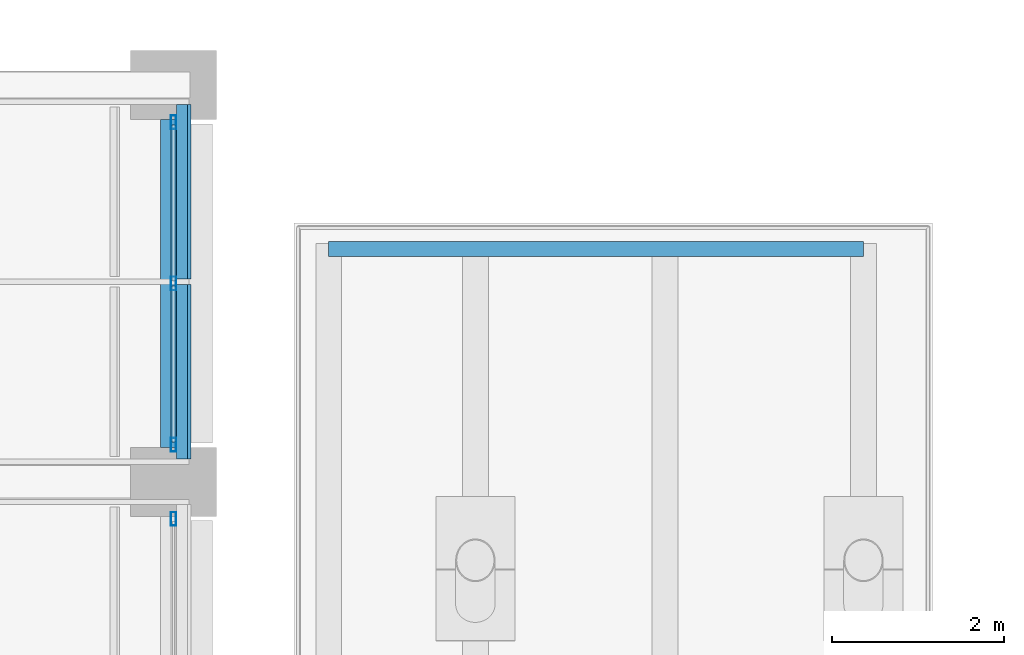
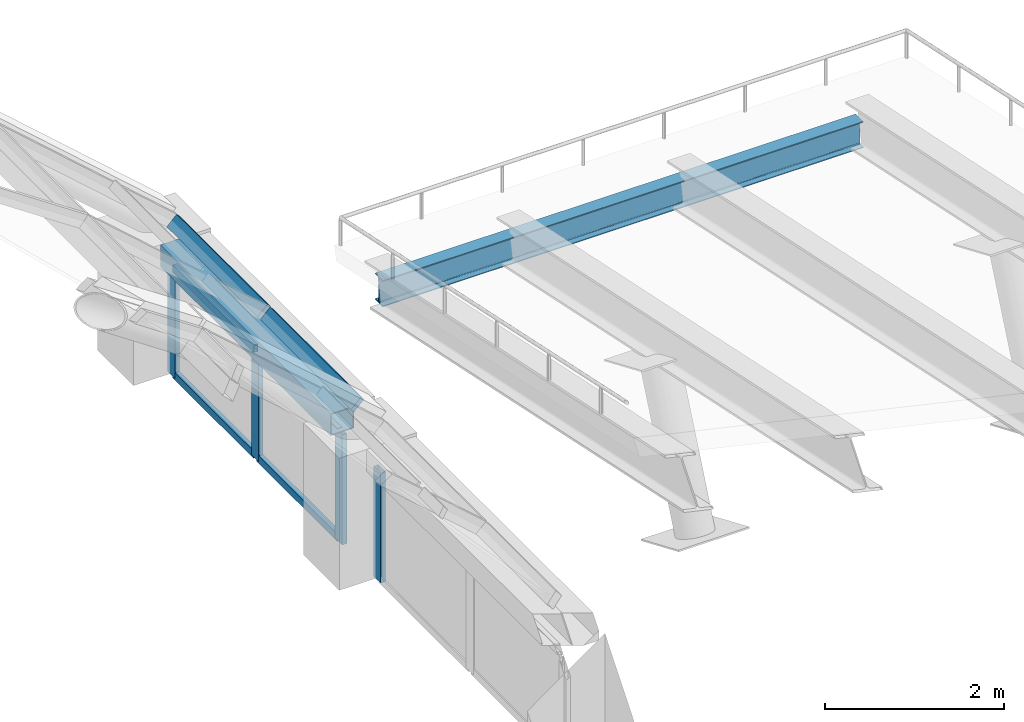
# One storey, part 88 of 182: 10 members, 2 beams, 3 elements without a shape of their own.
"""IFC4 building model written with IfcOpenShell, lengths in metres."""

import ifcopenshell
import ifcopenshell.guid

model = None  # the IFC model being written
_history = None  # IfcOwnerHistory: only IFC2X3 demands one
_inside = {}  # id of a spatial element -> (the spatial element, [elements in it])
_under = {}  # id of a project, library or spatial element -> (it, [spatial elements below it])
_declared = {}  # id of a project -> (the project, [libraries it declares])
_typed = {}  # id of a type object -> (the type object, [elements of that type])
_made_of = {}  # id of a material, layer set ... -> (it, [elements and type objects made of it])


def new_model(schema):
    """Start an empty IFC model of exactly this schema.

    Asked for "IFC4X3", IfcOpenShell would pick the latest addendum, in which some entities
    have other attributes; the version numbers below select the first issue.
    IFC2X3 requires an IfcOwnerHistory on every rooted entity: one is made here for all.
    """
    global model, _history
    if schema == "IFC4X3":
        model = ifcopenshell.file(schema_version=(4, 3, 0, 0))
    else:
        model = ifcopenshell.file(schema=schema)
    _inside.clear()
    _under.clear()
    _declared.clear()
    _typed.clear()
    _made_of.clear()
    _history = None
    if model.schema == "IFC2X3":
        org = make("IfcOrganization", Name="unknown")
        user = make(
            "IfcPersonAndOrganization",
            ThePerson=make("IfcPerson", FamilyName="unknown"),
            TheOrganization=org,
        )
        app = make(
            "IfcApplication",
            ApplicationDeveloper=org,
            Version="unknown",
            ApplicationFullName="unknown",
            ApplicationIdentifier="unknown",
        )
        _history = make(
            "IfcOwnerHistory",
            OwningUser=user,
            OwningApplication=app,
            ChangeAction="ADDED",
            CreationDate=0,
        )
    return model


def make(cls, **values):
    """One entity of the class cls with the attributes given. An attribute that is None is left unset."""
    return model.create_entity(
        cls, **{name: value for name, value in values.items() if value is not None}
    )


def rooted(cls, **values):
    """An entity with a GlobalId (a new one), such as an element, a storey or a relation."""
    return make(cls, GlobalId=ifcopenshell.guid.new(), OwnerHistory=_history, **values)


def si_unit(unit_type, name, prefix=None):
    """IfcSIUnit, for example si_unit("LENGTHUNIT", "METRE", prefix="MILLI")."""
    return make("IfcSIUnit", UnitType=unit_type, Prefix=prefix, Name=name)


def assignment(units):
    """IfcUnitAssignment: the units of a project."""
    return None if units is None else make("IfcUnitAssignment", Units=units)


def point(xyz):
    """IfcCartesianPoint."""
    return None if xyz is None else make("IfcCartesianPoint", Coordinates=xyz)


def direction(xyz):
    """IfcDirection."""
    return None if xyz is None else make("IfcDirection", DirectionRatios=xyz)


def frame(location, z_axis=None, x_axis=None):
    """IfcAxis2Placement3D, a coordinate frame: its origin and axes. An axis left out is left unset."""
    return make(
        "IfcAxis2Placement3D",
        Location=point(location),
        Axis=direction(z_axis),
        RefDirection=direction(x_axis),
    )


def frame_2d(location, x_axis=None):
    """IfcAxis2Placement2D, a coordinate frame in the plane: its origin and x axis."""
    return make(
        "IfcAxis2Placement2D", Location=point(location), RefDirection=direction(x_axis)
    )


def origin():
    """The frame at (0, 0, 0) with its axes left unset."""
    return frame((0.0, 0.0, 0.0))


def origin_2d():
    """The frame at (0, 0) in the plane with its x axis left unset."""
    return frame_2d((0.0, 0.0))


def place(relative_to, where):
    """IfcLocalPlacement: puts the frame where relative to a parent placement (None: the world)."""
    return make(
        "IfcLocalPlacement", PlacementRelTo=relative_to, RelativePlacement=where
    )


def context(
    kind, dimensions, precision=None, world=None, true_north=None, identifier=None
):
    """IfcGeometricRepresentationContext, for example the 3D "Model" context."""
    return make(
        "IfcGeometricRepresentationContext",
        ContextIdentifier=identifier,
        ContextType=kind,
        CoordinateSpaceDimension=dimensions,
        Precision=precision,
        WorldCoordinateSystem=world,
        TrueNorth=true_north,
    )


def subcontext(parent, identifier, kind, view, scale=None):
    """IfcGeometricRepresentationSubContext, for example "Body" below "Model"."""
    return make(
        "IfcGeometricRepresentationSubContext",
        ContextIdentifier=identifier,
        ContextType=kind,
        ParentContext=parent,
        TargetScale=scale,
        TargetView=view,
    )


def project(units=None, contexts=None):
    """IfcProject with its units and contexts."""
    return rooted(
        "IfcProject",
        Name="project",
        RepresentationContexts=contexts,
        UnitsInContext=assignment(units),
    )


def spatial(cls, under=None, at=None, **own):
    """A site, building, storey or space (cls), placed at a placement, below another one or the project."""
    s = rooted(cls, ObjectPlacement=at, **own)
    if under is not None:
        _under.setdefault(under.id(), (under, []))[1].append(s)
    return s


def profile(cls, at=None, kind="AREA", **sizes):
    """A parametric profile (cls). Its sizes go by their IFC names, for example OverallWidth=200.0."""
    return make(cls, ProfileType=kind, Position=at, **sizes)


def rectangle(**sizes):
    """IfcRectangleProfileDef."""
    return profile("IfcRectangleProfileDef", **sizes)


def hollow_rectangle(**sizes):
    """IfcRectangleHollowProfileDef."""
    return profile("IfcRectangleHollowProfileDef", **sizes)


def i_section(**sizes):
    """IfcIShapeProfileDef."""
    return profile("IfcIShapeProfileDef", **sizes)


def extrude(swept, where, along, depth):
    """IfcExtrudedAreaSolid: the profile swept, set in the frame where, extruded along a direction by depth."""
    return make(
        "IfcExtrudedAreaSolid",
        SweptArea=swept,
        Position=where,
        ExtrudedDirection=direction(along),
        Depth=depth,
    )


def shape(context_of_items, identifier, shape_type, items):
    """IfcShapeRepresentation: the items that make up one representation, for example the "Body"."""
    return make(
        "IfcShapeRepresentation",
        ContextOfItems=context_of_items,
        RepresentationIdentifier=identifier,
        RepresentationType=shape_type,
        Items=items,
    )


def material(Name=None, Category=None):
    """IfcMaterial."""
    return make("IfcMaterial", Name=Name, Category=Category)


def material_profile(
    of_material, cross_section, Name=None, Category=None, Priority=None
):
    """IfcMaterialProfile: a cross section and its material."""
    return make(
        "IfcMaterialProfile",
        Name=Name,
        Material=of_material,
        Profile=cross_section,
        Priority=Priority,
        Category=Category,
    )


def profile_set(profiles, Name=None, composite=None):
    """IfcMaterialProfileSet."""
    return make(
        "IfcMaterialProfileSet",
        Name=Name,
        MaterialProfiles=profiles,
        CompositeProfile=composite,
    )


def made_of(thing, what):
    """Note that an element or type object is made of a material, layer set ...; save() writes the relation."""
    if what is not None:
        _made_of.setdefault(what.id(), (what, []))[1].append(thing)
    return thing


def type_object(cls, material=None, **own):
    """A type object (cls), such as IfcWallType, which elements share."""
    return made_of(rooted(cls, **own), material)


def element(
    cls,
    number,
    at=None,
    inside=None,
    cuts=None,
    type_object=None,
    material=None,
    context=None,
    identifier="Body",
    shape_type=None,
    held_by="IfcProductDefinitionShape",
    body=None,
    shapes=None,
    **own,
):
    """One element of the class cls, such as IfcWall. Its Tag is "e" and its number.

    at: its placement. inside: the storey or other place that contains it. cuts: it is an
    opening in that element (IfcRelVoidsElement). A single representation is given by context,
    identifier, shape_type and body (its items); several are given by shapes. held_by: the class
    of the entity that holds the representations. save() writes the other relations.
    """
    e = rooted(cls, Tag="e%d" % number, ObjectPlacement=at, **own)
    if body is not None:
        shapes = [shape(context, identifier, shape_type, body)]
    if shapes is not None:
        e.Representation = make(held_by, Representations=shapes)
    if inside is not None:
        _inside.setdefault(inside.id(), (inside, []))[1].append(e)
    if cuts is not None:
        rooted(
            "IfcRelVoidsElement", RelatingBuildingElement=cuts, RelatedOpeningElement=e
        )
    if type_object is not None:
        _typed.setdefault(type_object.id(), (type_object, []))[1].append(e)
    return made_of(e, material)


def aggregate(whole, parts):
    """IfcRelAggregates: a whole, such as a stair, and the parts it consists of."""
    return rooted("IfcRelAggregates", RelatingObject=whole, RelatedObjects=parts)


def save(model, path):
    """Write the relations noted so far, then the file.

    IfcRelAggregates (storeys below a building ...), IfcRelContainedInSpatialStructure (elements
    in a storey), IfcRelDefinesByType, IfcRelAssociatesMaterial and IfcRelDeclares: one each for
    every whole, place, type object, material and project.
    """
    for whole, parts in _under.values():
        aggregate(whole, parts)
    for where, things in _inside.values():
        rooted(
            "IfcRelContainedInSpatialStructure",
            RelatedElements=things,
            RelatingStructure=where,
        )
    for kind, things in _typed.values():
        rooted("IfcRelDefinesByType", RelatedObjects=things, RelatingType=kind)
    for what, things in _made_of.values():
        rooted("IfcRelAssociatesMaterial", RelatedObjects=things, RelatingMaterial=what)
    for by, libraries in _declared.values():
        rooted("IfcRelDeclares", RelatingContext=by, RelatedDefinitions=libraries)
    model.write(path)


model = new_model("IFC4")

# Units and contexts
model_context = context("Model", 3, precision=1e-05, world=origin(), true_north=direction((0.0, 1.0)))
body_context = subcontext(model_context, "Body", "Model", "MODEL_VIEW")
ifc_project = project(units=[si_unit("LENGTHUNIT", "METRE"), si_unit("AREAUNIT", "SQUARE_METRE"), si_unit("VOLUMEUNIT", "CUBIC_METRE"), si_unit("PLANEANGLEUNIT", "RADIAN"), si_unit("MASSUNIT", "GRAM", prefix="KILO")], contexts=[model_context])

# Site, building, storey
site_placement = place(None, origin())
site = spatial("IfcSite", under=ifc_project, at=site_placement, CompositionType="ELEMENT")
building_placement = place(site_placement, origin())
building = spatial("IfcBuilding", under=site, at=building_placement, Name="Okhra Congress Centre", CompositionType="ELEMENT")
storey_placement = place(building_placement, frame((0.0, 0.0, 7.199951171875)))
storey = spatial("IfcBuildingStorey", under=building, at=storey_placement, Name="L01", CompositionType="ELEMENT", Elevation=7.199951171875)

# Curtain wall, members
ifc_material_1 = material(Name="Aluminium frame with triple glazing", Category="aluminium")
curtain_wall_type_1 = type_object("IfcCurtainWallType", Name="Glazed vault bay curtain wall", PredefinedType="NOTDEFINED", material=ifc_material_1)
curtain_wall_1_placement = place(storey_placement, origin())
curtain_wall_1 = element("IfcCurtainWall", 1, at=curtain_wall_1_placement, inside=storey, type_object=curtain_wall_type_1, Name="Vault glazing bay 28", PredefinedType="NOTDEFINED")
ifc_material_2 = material(Name="Aluminium alloy 6063", Category="aluminium")
ifc_material_profile_1 = material_profile(ifc_material_2, rectangle(XDim=0.06005859375, YDim=0.179931640625, at=origin_2d()), Name="AL 60x180 transom")
ifc_profile_set_1 = profile_set([ifc_material_profile_1], Name="Aluminium alloy 6063")
member_type_1 = type_object("IfcMemberType", Name="Aluminium transom 60x180", PredefinedType="USERDEFINED", material=ifc_profile_set_1)
member_1_placement = place(storey_placement, frame((189.117431640625, 211.26318359375, 1.916015625), z_axis=(0.0, 1.0, 0.0), x_axis=(-0.702636070549, 0.0, 0.711549402616)))
member_1 = element("IfcMember", 2, at=member_1_placement, type_object=member_type_1, Name="Vault transom 28.1.13", ObjectType="TRANSOM", PredefinedType="USERDEFINED", context=body_context, shape_type="SweptSolid", body=[
    extrude(rectangle(XDim=0.06005859375, YDim=0.179931640625, at=origin_2d()), origin(), (0.0, 0.0, 1.0), 2.02734375),
])
member_2_placement = place(storey_placement, frame((189.117431640625, 213.3505859375, 1.916015625), z_axis=(0.0, 1.0, 0.0), x_axis=(-0.702636070549, 0.0, 0.711549402616)))
member_2 = element("IfcMember", 3, at=member_2_placement, type_object=member_type_1, Name="Vault transom 28.2.13", ObjectType="TRANSOM", PredefinedType="USERDEFINED", context=body_context, shape_type="SweptSolid", body=[
    extrude(rectangle(XDim=0.06005859375, YDim=0.179931640625, at=origin_2d()), origin(), (0.0, 0.0, 1.0), 2.02734375),
])
aggregate(curtain_wall_1, [member_1, member_2])

# Curtain wall, member
ifc_material_3 = material(Name="Aluminium curtain wall, triple glazing", Category="aluminium")
curtain_wall_type_2 = type_object("IfcCurtainWallType", Name="Curtain wall 2100 module", PredefinedType="NOTDEFINED", material=ifc_material_3)
curtain_wall_2_placement = place(storey_placement, origin())
curtain_wall_2 = element("IfcCurtainWall", 4, at=curtain_wall_2_placement, inside=storey, type_object=curtain_wall_type_2, Name="East bay 8 clerestory glazing", PredefinedType="NOTDEFINED")
ifc_material_4 = material(Name="Aluminium alloy EN AW-6063 T66", Category="aluminium")
ifc_material_profile_2 = material_profile(ifc_material_4, hollow_rectangle(XDim=0.06005859375, YDim=0.159912109375, WallThickness=0.00390625, at=origin_2d()), Name="RHS 60x160x4")
ifc_profile_set_2 = profile_set([ifc_material_profile_2], Name="Aluminium alloy EN AW-6063 T66")
member_type_2 = type_object("IfcMemberType", Name="Curtain wall mullion 60x160", PredefinedType="MULLION", material=ifc_profile_set_2)
member_3_placement = place(storey_placement, frame((189.0, 210.570068359375, 0.0), z_axis=(0.0, 0.0, 1.0), x_axis=(-1.0, 0.0, 0.0)))
member_3 = element("IfcMember", 5, at=member_3_placement, type_object=member_type_2, Name="CW4 mullion 3", PredefinedType="MULLION", context=body_context, shape_type="SweptSolid", body=[
    extrude(hollow_rectangle(XDim=0.06005859375, YDim=0.159912109375, WallThickness=0.00390625, at=origin_2d()), origin(), (0.0, 0.0, 1.0), 1.5),
])
aggregate(curtain_wall_2, [member_3])

# Curtain wall, members
curtain_wall_3_placement = place(storey_placement, origin())
curtain_wall_3 = element("IfcCurtainWall", 6, at=curtain_wall_3_placement, inside=storey, type_object=curtain_wall_type_2, Name="East bay 9 clerestory glazing", PredefinedType="NOTDEFINED")
member_4_placement = place(storey_placement, frame((189.0, 211.429931640625, 0.0), z_axis=(0.0, 0.0, 1.0), x_axis=(-1.0, 0.0, 0.0)))
member_4 = element("IfcMember", 7, at=member_4_placement, type_object=member_type_2, Name="CW4 mullion 1", PredefinedType="MULLION", context=body_context, shape_type="SweptSolid", body=[
    extrude(hollow_rectangle(XDim=0.06005859375, YDim=0.159912109375, WallThickness=0.00390625, at=origin_2d()), origin(), (0.0, 0.0, 1.0), 1.5),
])
member_5_placement = place(storey_placement, frame((189.0, 213.300048828125, 0.0), z_axis=(0.0, 0.0, 1.0), x_axis=(-1.0, 0.0, 0.0)))
member_5 = element("IfcMember", 8, at=member_5_placement, type_object=member_type_2, Name="CW4 mullion 2", PredefinedType="MULLION", context=body_context, shape_type="SweptSolid", body=[
    extrude(hollow_rectangle(XDim=0.06005859375, YDim=0.159912109375, WallThickness=0.00390625, at=origin_2d()), origin(), (0.0, 0.0, 1.0), 1.5),
])
member_6_placement = place(storey_placement, frame((189.0, 215.169921875, 0.0), z_axis=(0.0, 0.0, 1.0), x_axis=(-1.0, 0.0, 0.0)))
member_6 = element("IfcMember", 9, at=member_6_placement, type_object=member_type_2, Name="CW4 mullion 3", PredefinedType="MULLION", context=body_context, shape_type="SweptSolid", body=[
    extrude(hollow_rectangle(XDim=0.06005859375, YDim=0.159912109375, WallThickness=0.00390625, at=origin_2d()), origin(), (0.0, 0.0, 1.0), 1.5),
])
ifc_material_profile_3 = material_profile(ifc_material_4, hollow_rectangle(XDim=0.06005859375, YDim=0.10009765625, WallThickness=0.00390625, at=origin_2d()), Name="RHS 60x100x4")
ifc_profile_set_3 = profile_set([ifc_material_profile_3], Name="Aluminium alloy EN AW-6063 T66")
member_type_3 = type_object("IfcMemberType", Name="Curtain wall transom 60x100", PredefinedType="USERDEFINED", material=ifc_profile_set_3)
member_7_placement = place(storey_placement, frame((189.0, 211.4599609375, 0.030029296875), z_axis=(0.0, 1.0, 0.0), x_axis=(-1.0, 0.0, 0.0)))
member_7 = element("IfcMember", 10, at=member_7_placement, type_object=member_type_3, Name="CW4 transom 1.1", ObjectType="TRANSOM", PredefinedType="USERDEFINED", context=body_context, shape_type="SweptSolid", body=[
    extrude(hollow_rectangle(XDim=0.06005859375, YDim=0.10009765625, WallThickness=0.00390625, at=origin_2d()), origin(), (0.0, 0.0, 1.0), 1.81005859375),
])
member_8_placement = place(storey_placement, frame((189.0, 211.4599609375, 1.469970703125), z_axis=(0.0, 1.0, 0.0), x_axis=(-1.0, 0.0, 0.0)))
member_8 = element("IfcMember", 11, at=member_8_placement, type_object=member_type_3, Name="CW4 transom 1.2", ObjectType="TRANSOM", PredefinedType="USERDEFINED", context=body_context, shape_type="SweptSolid", body=[
    extrude(hollow_rectangle(XDim=0.06005859375, YDim=0.10009765625, WallThickness=0.00390625, at=origin_2d()), origin(), (0.0, 0.0, 1.0), 1.81005859375),
])
member_9_placement = place(storey_placement, frame((189.0, 213.330078125, 0.030029296875), z_axis=(0.0, 1.0, 0.0), x_axis=(-1.0, 0.0, 0.0)))
member_9 = element("IfcMember", 12, at=member_9_placement, type_object=member_type_3, Name="CW4 transom 2.1", ObjectType="TRANSOM", PredefinedType="USERDEFINED", context=body_context, shape_type="SweptSolid", body=[
    extrude(hollow_rectangle(XDim=0.06005859375, YDim=0.10009765625, WallThickness=0.00390625, at=origin_2d()), origin(), (0.0, 0.0, 1.0), 1.809814453125),
])
member_10_placement = place(storey_placement, frame((189.0, 213.330078125, 1.469970703125), z_axis=(0.0, 1.0, 0.0), x_axis=(-1.0, 0.0, 0.0)))
member_10 = element("IfcMember", 13, at=member_10_placement, type_object=member_type_3, Name="CW4 transom 2.2", ObjectType="TRANSOM", PredefinedType="USERDEFINED", context=body_context, shape_type="SweptSolid", body=[
    extrude(hollow_rectangle(XDim=0.06005859375, YDim=0.10009765625, WallThickness=0.00390625, at=origin_2d()), origin(), (0.0, 0.0, 1.0), 1.809814453125),
])
aggregate(curtain_wall_3, [member_4, member_5, member_6, member_7, member_8, member_9, member_10])

# Beams
ifc_material_5 = material(Name="Steel S355J2", Category="steel")
ifc_material_profile_4 = material_profile(ifc_material_5, i_section(OverallWidth=0.169921875, OverallDepth=0.360107421875, WebThickness=0.008056640625, FlangeThickness=0.0126953125, FilletRadius=0.01806640625, at=origin_2d()), Name="IPE 360")
ifc_profile_set_4 = profile_set([ifc_material_profile_4], Name="Steel S355J2")
beam_type_1 = type_object("IfcBeamType", Name="IPE 360", PredefinedType="BEAM", material=ifc_profile_set_4)
beam_1_placement = place(storey_placement, frame((190.800048828125, 213.699951171875, 1.41015625), z_axis=(1.0, 0.0, 0.0), x_axis=(0.0, 1.0, 0.0)))
element("IfcBeam", 14, at=beam_1_placement, inside=storey, type_object=beam_type_1, Name="North canopy edge beam", PredefinedType="BEAM", context=body_context, shape_type="SweptSolid", body=[
    extrude(i_section(OverallWidth=0.169921875, OverallDepth=0.360107421875, WebThickness=0.008056640625, FlangeThickness=0.0126953125, FilletRadius=0.01806640625, at=origin_2d()), origin(), (0.0, 0.0, 1.0), 6.199951171875),
])
ifc_material_profile_5 = material_profile(ifc_material_5, hollow_rectangle(XDim=0.300048828125, YDim=0.300048828125, WallThickness=0.012451171875, at=origin_2d()), Name="RHS 300x300x12.5")
ifc_profile_set_5 = profile_set([ifc_material_profile_5], Name="Steel S355J2")
beam_type_2 = type_object("IfcBeamType", Name="Steel eaves beam RHS 300x300x12.5", PredefinedType="BEAM", material=ifc_profile_set_5)
beam_2_placement = place(storey_placement, frame((189.0, 211.39990234375, 1.650146484375), z_axis=(0.0, 1.0, 0.0), x_axis=(-1.0, 0.0, 0.0)))
element("IfcBeam", 15, at=beam_2_placement, inside=storey, type_object=beam_type_2, Name="Eaves beam E28", PredefinedType="BEAM", context=body_context, shape_type="SweptSolid", body=[
    extrude(hollow_rectangle(XDim=0.300048828125, YDim=0.300048828125, WallThickness=0.012451171875, at=origin_2d()), origin(), (0.0, 0.0, 1.0), 3.800048828125),
])

save(model, "model.ifc")
